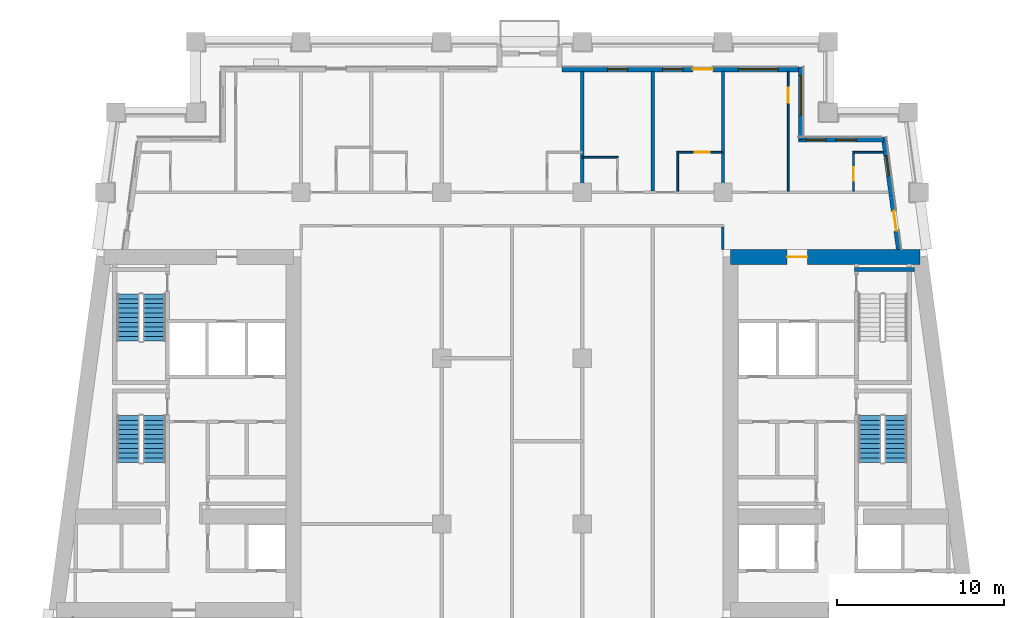
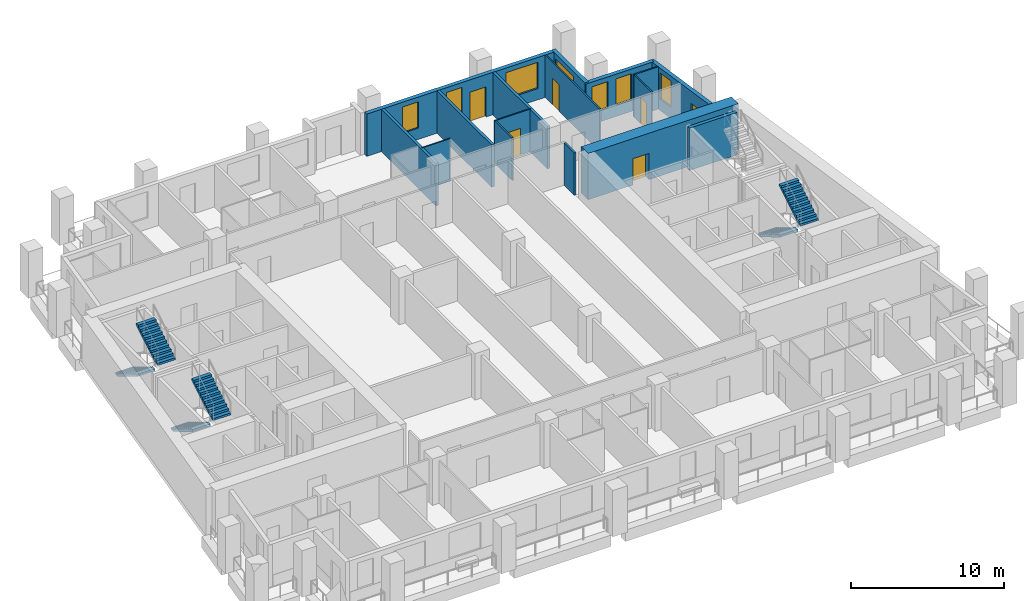
# One storey, part 7 of 13: 16 walls, 7 windows, 6 doors, 6 stair flights, 13 openings, 3 elements without a shape of their own.
"""IFC4 building model written with IfcOpenShell, lengths in metres."""

from ifc_helpers import new_model, si_unit, direction, frame, frame_2d, origin, place, context, subcontext, project, spatial, polyline, rectangle, outline, extrude, material, layer, layer_set, type_object, element, fill, aggregate, save


model = new_model("IFC4")

# Units and contexts
model_context = context("Model", 3, precision=1e-05, world=origin(), true_north=direction((0.0, 1.0)))
body_context = subcontext(model_context, "Body", "Model", "MODEL_VIEW")
ifc_project = project(units=[si_unit("LENGTHUNIT", "METRE"), si_unit("AREAUNIT", "SQUARE_METRE"), si_unit("VOLUMEUNIT", "CUBIC_METRE"), si_unit("PLANEANGLEUNIT", "RADIAN"), si_unit("MASSUNIT", "GRAM", prefix="KILO")], contexts=[model_context])

# Site, building, storey
site_placement = place(None, origin())
site = spatial("IfcSite", under=ifc_project, at=site_placement, CompositionType="ELEMENT")
building_placement = place(site_placement, origin())
building = spatial("IfcBuilding", under=site, at=building_placement, Name="Candeia Pilgrim Tower and Theatre", CompositionType="ELEMENT")
storey_placement = place(building_placement, frame((0.0, 0.0, 158.89990234375)))
storey = spatial("IfcBuildingStorey", under=building, at=storey_placement, Name="L37", CompositionType="ELEMENT", Elevation=158.89990234375)

# Wall, opening, door
ifc_material_1 = material(Name="Concrete C60/75", Category="concrete")
ifc_layer_1 = layer(ifc_material_1, 0.89990234375)
ifc_layer_set_1 = layer_set([ifc_layer_1], Name="Core wall 900 C60/75")
wall_type_1 = type_object("IfcWallType", Name="Core wall 900 C60/75", PredefinedType="SHEAR", material=ifc_layer_set_1)
wall_1_placement = place(storey_placement, frame((126.449951171875, 131.949951171875, 0.0), z_axis=(0.0, 0.0, 1.0), x_axis=(1.0, 0.0, 0.0)))
wall_1 = element("IfcWall", 1, at=wall_1_placement, inside=storey, type_object=wall_type_1, Name="Core wall E1", PredefinedType="SHEAR", context=body_context, shape_type="SweptSolid", body=[
    extrude(rectangle(XDim=11.32568359375, YDim=0.89990234375, at=frame_2d((5.662841796875, 0.0))), origin(), (0.0, 0.0, 1.0), 3.7001953125),
])
opening_1_placement = place(wall_1_placement, frame((3.386474609375, 0.0, 0.0)))
opening_1 = element("IfcOpeningElement", 2, at=opening_1_placement, cuts=wall_1, Name="Opening L37-D061", PredefinedType="OPENING", context=body_context, shape_type="SweptSolid", body=[
    extrude(rectangle(XDim=1.199951171875, YDim=2.10009765625, at=frame_2d((0.60009765625, 1.050048828125))), frame((0.0, 0.4599609375, 0.0), z_axis=(0.0, -1.0, 0.0), x_axis=(1.0, 0.0, 0.0)), (0.0, 0.0, 1.0), 0.919921875),
])
ifc_material_2 = material(Name="Steel fire door set", Category="steel")
door_type_1 = type_object("IfcDoorType", Name="D-1200-FD60", OperationType="NOTDEFINED", PredefinedType="DOOR", material=ifc_material_2)
door_1_placement = place(opening_1_placement, origin())
door_1 = element("IfcDoor", 3, at=door_1_placement, inside=storey, type_object=door_type_1, Name="Door L37-D061", OperationType="SINGLE_SWING_RIGHT", OverallHeight=2.10009765625, OverallWidth=1.199951171875, PredefinedType="DOOR", context=body_context, shape_type="SweptSolid", body=[
    extrude(rectangle(XDim=1.199951171875, YDim=2.10009765625, at=frame_2d((0.60009765625, 1.050048828125))), frame((0.0, 0.02490234375, 0.0), z_axis=(0.0, -1.0, 0.0), x_axis=(1.0, 0.0, 0.0)), (0.0, 0.0, 1.0), 0.050048828125),
])
fill(opening_1, door_1)

# Wall, openings, door, window
ifc_material_3 = material(Name="Ceramic block masonry", Category="masonry")
ifc_layer_2 = layer(ifc_material_3, 0.300048828125)
ifc_layer_set_2 = layer_set([ifc_layer_2], Name="EW1 glazing-line wall 300")
wall_type_2 = type_object("IfcWallType", Name="EW1 glazing-line wall 300", PredefinedType="SOLIDWALL", material=ifc_layer_set_2)
wall_2_placement = place(storey_placement, frame((136.50439453125, 132.39990234375, 0.0), z_axis=(0.0, 0.0, 1.0), x_axis=(-0.133399697462, 0.99106231929, 0.0)))
wall_2 = element("IfcWall", 4, at=wall_2_placement, inside=storey, type_object=wall_type_2, Name="External wall L37-3.1", PredefinedType="SOLIDWALL", context=body_context, shape_type="SweptSolid", body=[
    extrude(rectangle(XDim=6.740478515625, YDim=0.300048828125, at=frame_2d((3.3701171875, 0.0))), origin(), (0.0, 0.0, 1.0), 3.380126953125),
])
opening_2_placement = place(wall_2_placement, frame((1.115234375, 0.0, 0.0)))
opening_2 = element("IfcOpeningElement", 5, at=opening_2_placement, cuts=wall_2, Name="Opening L37-ED357", PredefinedType="OPENING", context=body_context, shape_type="SweptSolid", body=[
    extrude(rectangle(XDim=1.199951171875, YDim=2.39990234375, at=frame_2d((0.60009765625, 1.199951171875))), frame((0.0, 0.16015625, 0.0), z_axis=(0.0, -1.0, 0.0), x_axis=(1.0, 0.0, 0.0)), (0.0, 0.0, 1.0), 0.320068359375),
])
opening_3_placement = place(wall_2_placement, frame((4.435546875, 0.0, 0.89990234375)))
opening_3 = element("IfcOpeningElement", 6, at=opening_3_placement, cuts=wall_2, Name="Opening W-B", PredefinedType="OPENING", context=body_context, shape_type="SweptSolid", body=[
    extrude(rectangle(XDim=1.199951171875, YDim=2.10009765625, at=frame_2d((0.60009765625, 1.050048828125))), frame((0.0, 0.16015625, 0.0), z_axis=(0.0, -1.0, 0.0), x_axis=(1.0, 0.0, 0.0)), (0.0, 0.0, 1.0), 0.320068359375),
])
ifc_material_4 = material(Name="Aluminium framed glazed door", Category="aluminium")
door_type_2 = type_object("IfcDoorType", Name="Loggia door 1200x2400", OperationType="DOUBLE_DOOR_SINGLE_SWING", PredefinedType="DOOR", material=ifc_material_4)
door_2_placement = place(opening_2_placement, origin())
door_2 = element("IfcDoor", 7, at=door_2_placement, inside=storey, type_object=door_type_2, Name="Loggia door L37-ED357", OperationType="DOUBLE_DOOR_SINGLE_SWING", OverallHeight=2.39990234375, OverallWidth=1.199951171875, PredefinedType="DOOR", context=body_context, shape_type="SweptSolid", body=[
    extrude(rectangle(XDim=1.199951171875, YDim=2.39990234375, at=frame_2d((0.60009765625, 1.199951171875))), frame((0.0, 0.02490234375, 0.0), z_axis=(0.0, -1.0, 0.0), x_axis=(1.0, 0.0, 0.0)), (0.0, 0.0, 1.0), 0.050048828125),
])
fill(opening_2, door_2)
ifc_material_5 = material(Name="Aluminium framed double glazing", Category="aluminium")
window_type_1 = type_object("IfcWindowType", Name="W-B window 1200x2100", PartitioningType="SINGLE_PANEL", PredefinedType="WINDOW", material=ifc_material_5)
window_1_placement = place(opening_3_placement, origin())
window_1 = element("IfcWindow", 8, at=window_1_placement, inside=storey, type_object=window_type_1, Name="Window W-B L37", OverallHeight=2.10009765625, OverallWidth=1.199951171875, PartitioningType="SINGLE_PANEL", PredefinedType="WINDOW", context=body_context, shape_type="SweptSolid", body=[
    extrude(rectangle(XDim=1.199951171875, YDim=2.10009765625, at=frame_2d((0.60009765625, 1.050048828125))), frame((0.0, 0.030029296875, 0.0), z_axis=(0.0, -1.0, 0.0), x_axis=(1.0, 0.0, 0.0)), (0.0, 0.0, 1.0), 0.06005859375),
])
fill(opening_3, window_1)

# Wall, openings, windows
wall_3_placement = place(storey_placement, frame((135.62255859375, 138.949951171875, 0.0), z_axis=(0.0, 0.0, 1.0), x_axis=(-1.0, 0.0, 0.0)))
wall_3 = element("IfcWall", 9, at=wall_3_placement, inside=storey, type_object=wall_type_2, Name="External wall L37-4.0", PredefinedType="SOLIDWALL", context=body_context, shape_type="SweptSolid", body=[
    extrude(rectangle(XDim=5.12255859375, YDim=0.300048828125, at=frame_2d((2.561279296875, 0.0))), origin(), (0.0, 0.0, 1.0), 3.380126953125),
])
opening_4_placement = place(wall_3_placement, frame((1.672607421875, 0.0, 0.89990234375)))
opening_4 = element("IfcOpeningElement", 10, at=opening_4_placement, cuts=wall_3, Name="Opening W-B", PredefinedType="OPENING", context=body_context, shape_type="SweptSolid", body=[
    extrude(rectangle(XDim=1.199951171875, YDim=2.10009765625, at=frame_2d((0.60009765625, 1.050048828125))), frame((0.0, 0.16015625, 0.0), z_axis=(0.0, -1.0, 0.0), x_axis=(1.0, 0.0, 0.0)), (0.0, 0.0, 1.0), 0.320068359375),
])
opening_5_placement = place(wall_3_placement, frame((3.47265625, 0.0, 0.89990234375)))
opening_5 = element("IfcOpeningElement", 11, at=opening_5_placement, cuts=wall_3, Name="Opening W-B", PredefinedType="OPENING", context=body_context, shape_type="SweptSolid", body=[
    extrude(rectangle(XDim=1.199951171875, YDim=2.10009765625, at=frame_2d((0.60009765625, 1.050048828125))), frame((0.0, 0.16015625, 0.0), z_axis=(0.0, -1.0, 0.0), x_axis=(1.0, 0.0, 0.0)), (0.0, 0.0, 1.0), 0.320068359375),
])
window_2_placement = place(opening_4_placement, origin())
window_2 = element("IfcWindow", 12, at=window_2_placement, inside=storey, type_object=window_type_1, Name="Window W-B L37", OverallHeight=2.10009765625, OverallWidth=1.199951171875, PartitioningType="SINGLE_PANEL", PredefinedType="WINDOW", context=body_context, shape_type="SweptSolid", body=[
    extrude(rectangle(XDim=1.199951171875, YDim=2.10009765625, at=frame_2d((0.60009765625, 1.050048828125))), frame((0.0, 0.030029296875, 0.0), z_axis=(0.0, -1.0, 0.0), x_axis=(1.0, 0.0, 0.0)), (0.0, 0.0, 1.0), 0.06005859375),
])
fill(opening_4, window_2)
window_3_placement = place(opening_5_placement, origin())
window_3 = element("IfcWindow", 13, at=window_3_placement, inside=storey, type_object=window_type_1, Name="Window W-B L37", OverallHeight=2.10009765625, OverallWidth=1.199951171875, PartitioningType="SINGLE_PANEL", PredefinedType="WINDOW", context=body_context, shape_type="SweptSolid", body=[
    extrude(rectangle(XDim=1.199951171875, YDim=2.10009765625, at=frame_2d((0.60009765625, 1.050048828125))), frame((0.0, 0.030029296875, 0.0), z_axis=(0.0, -1.0, 0.0), x_axis=(1.0, 0.0, 0.0)), (0.0, 0.0, 1.0), 0.06005859375),
])
fill(opening_5, window_3)

# Wall, opening, window
wall_4_placement = place(storey_placement, frame((130.64990234375, 138.949951171875, 0.0), z_axis=(0.0, 0.0, 1.0), x_axis=(0.0, 1.0, 0.0)))
wall_4 = element("IfcWall", 14, at=wall_4_placement, inside=storey, type_object=wall_type_2, Name="External wall L37-5.0", PredefinedType="SOLIDWALL", context=body_context, shape_type="SweptSolid", body=[
    extrude(rectangle(XDim=4.35009765625, YDim=0.300048828125, at=frame_2d((2.175048828125, 0.0))), origin(), (0.0, 0.0, 1.0), 3.380126953125),
])
opening_6_placement = place(wall_4_placement, frame((1.449951171875, 0.0, 0.89990234375)))
opening_6 = element("IfcOpeningElement", 15, at=opening_6_placement, cuts=wall_4, Name="Opening W-A", PredefinedType="OPENING", context=body_context, shape_type="SweptSolid", body=[
    extrude(rectangle(XDim=2.39990234375, YDim=2.10009765625, at=frame_2d((1.199951171875, 1.050048828125))), frame((0.0, 0.16015625, 0.0), z_axis=(0.0, -1.0, 0.0), x_axis=(1.0, 0.0, 0.0)), (0.0, 0.0, 1.0), 0.320068359375),
])
window_type_2 = type_object("IfcWindowType", Name="W-A window 2400x2100", PartitioningType="DOUBLE_PANEL_VERTICAL", PredefinedType="WINDOW", material=ifc_material_5)
window_4_placement = place(opening_6_placement, origin())
window_4 = element("IfcWindow", 16, at=window_4_placement, inside=storey, type_object=window_type_2, Name="Window W-A L37", OverallHeight=2.10009765625, OverallWidth=2.39990234375, PartitioningType="SINGLE_PANEL", PredefinedType="WINDOW", context=body_context, shape_type="SweptSolid", body=[
    extrude(rectangle(XDim=2.39990234375, YDim=2.10009765625, at=frame_2d((1.199951171875, 1.050048828125))), frame((0.0, 0.030029296875, 0.0), z_axis=(0.0, -1.0, 0.0), x_axis=(1.0, 0.0, 0.0)), (0.0, 0.0, 1.0), 0.06005859375),
])
fill(opening_6, window_4)

# Wall, openings, door, windows
wall_5_placement = place(storey_placement, frame((130.64990234375, 143.14990234375, 0.0), z_axis=(0.0, 0.0, 1.0), x_axis=(-1.0, 0.0, 0.0)))
wall_5 = element("IfcWall", 17, at=wall_5_placement, inside=storey, type_object=wall_type_2, Name="External wall L37-6.0", PredefinedType="SOLIDWALL", context=body_context, shape_type="SweptSolid", body=[
    extrude(rectangle(XDim=14.25, YDim=0.300048828125, at=frame_2d((7.125, 0.0))), origin(), (0.0, 0.0, 1.0), 3.380126953125),
])
opening_7_placement = place(wall_5_placement, frame((1.35009765625, 0.0, 0.89990234375)))
opening_7 = element("IfcOpeningElement", 18, at=opening_7_placement, cuts=wall_5, Name="Opening W-A", PredefinedType="OPENING", context=body_context, shape_type="SweptSolid", body=[
    extrude(rectangle(XDim=2.39990234375, YDim=2.10009765625, at=frame_2d((1.199951171875, 1.050048828125))), frame((0.0, 0.16015625, 0.0), z_axis=(0.0, -1.0, 0.0), x_axis=(1.0, 0.0, 0.0)), (0.0, 0.0, 1.0), 0.320068359375),
])
opening_8_placement = place(wall_5_placement, frame((5.25, 0.0, 0.0)))
opening_8 = element("IfcOpeningElement", 19, at=opening_8_placement, cuts=wall_5, Name="Opening L37-ED358", PredefinedType="OPENING", context=body_context, shape_type="SweptSolid", body=[
    extrude(rectangle(XDim=1.199951171875, YDim=2.39990234375, at=frame_2d((0.60009765625, 1.199951171875))), frame((0.0, 0.16015625, 0.0), z_axis=(0.0, -1.0, 0.0), x_axis=(1.0, 0.0, 0.0)), (0.0, 0.0, 1.0), 0.320068359375),
])
opening_9_placement = place(wall_5_placement, frame((7.050048828125, 0.0, 0.89990234375)))
opening_9 = element("IfcOpeningElement", 20, at=opening_9_placement, cuts=wall_5, Name="Opening W-B", PredefinedType="OPENING", context=body_context, shape_type="SweptSolid", body=[
    extrude(rectangle(XDim=1.199951171875, YDim=2.10009765625, at=frame_2d((0.60009765625, 1.050048828125))), frame((0.0, 0.16015625, 0.0), z_axis=(0.0, -1.0, 0.0), x_axis=(1.0, 0.0, 0.0)), (0.0, 0.0, 1.0), 0.320068359375),
])
opening_10_placement = place(wall_5_placement, frame((10.35009765625, 0.0, 0.89990234375)))
opening_10 = element("IfcOpeningElement", 21, at=opening_10_placement, cuts=wall_5, Name="Opening W-B", PredefinedType="OPENING", context=body_context, shape_type="SweptSolid", body=[
    extrude(rectangle(XDim=1.199951171875, YDim=2.10009765625, at=frame_2d((0.60009765625, 1.050048828125))), frame((0.0, 0.16015625, 0.0), z_axis=(0.0, -1.0, 0.0), x_axis=(1.0, 0.0, 0.0)), (0.0, 0.0, 1.0), 0.320068359375),
])
door_3_placement = place(opening_8_placement, origin())
door_3 = element("IfcDoor", 22, at=door_3_placement, inside=storey, type_object=door_type_2, Name="Loggia door L37-ED358", OperationType="DOUBLE_DOOR_SINGLE_SWING", OverallHeight=2.39990234375, OverallWidth=1.199951171875, PredefinedType="DOOR", context=body_context, shape_type="SweptSolid", body=[
    extrude(rectangle(XDim=1.199951171875, YDim=2.39990234375, at=frame_2d((0.60009765625, 1.199951171875))), frame((0.0, 0.02490234375, 0.0), z_axis=(0.0, -1.0, 0.0), x_axis=(1.0, 0.0, 0.0)), (0.0, 0.0, 1.0), 0.050048828125),
])
fill(opening_8, door_3)
window_5_placement = place(opening_7_placement, origin())
window_5 = element("IfcWindow", 23, at=window_5_placement, inside=storey, type_object=window_type_2, Name="Window W-A L37", OverallHeight=2.10009765625, OverallWidth=2.39990234375, PartitioningType="SINGLE_PANEL", PredefinedType="WINDOW", context=body_context, shape_type="SweptSolid", body=[
    extrude(rectangle(XDim=2.39990234375, YDim=2.10009765625, at=frame_2d((1.199951171875, 1.050048828125))), frame((0.0, 0.030029296875, 0.0), z_axis=(0.0, -1.0, 0.0), x_axis=(1.0, 0.0, 0.0)), (0.0, 0.0, 1.0), 0.06005859375),
])
fill(opening_7, window_5)
window_6_placement = place(opening_9_placement, origin())
window_6 = element("IfcWindow", 24, at=window_6_placement, inside=storey, type_object=window_type_1, Name="Window W-B L37", OverallHeight=2.10009765625, OverallWidth=1.199951171875, PartitioningType="SINGLE_PANEL", PredefinedType="WINDOW", context=body_context, shape_type="SweptSolid", body=[
    extrude(rectangle(XDim=1.199951171875, YDim=2.10009765625, at=frame_2d((0.60009765625, 1.050048828125))), frame((0.0, 0.030029296875, 0.0), z_axis=(0.0, -1.0, 0.0), x_axis=(1.0, 0.0, 0.0)), (0.0, 0.0, 1.0), 0.06005859375),
])
fill(opening_9, window_6)
window_7_placement = place(opening_10_placement, origin())
window_7 = element("IfcWindow", 25, at=window_7_placement, inside=storey, type_object=window_type_1, Name="Window W-B L37", OverallHeight=2.10009765625, OverallWidth=1.199951171875, PartitioningType="SINGLE_PANEL", PredefinedType="WINDOW", context=body_context, shape_type="SweptSolid", body=[
    extrude(rectangle(XDim=1.199951171875, YDim=2.10009765625, at=frame_2d((0.60009765625, 1.050048828125))), frame((0.0, 0.030029296875, 0.0), z_axis=(0.0, -1.0, 0.0), x_axis=(1.0, 0.0, 0.0)), (0.0, 0.0, 1.0), 0.06005859375),
])
fill(opening_10, window_7)

# Wall
ifc_material_6 = material(Name="Gypsum board partition on steel studs", Category="steel")
ifc_layer_3 = layer(ifc_material_6, 0.10009765625)
ifc_layer_set_3 = layer_set([ifc_layer_3], Name="PW-100 room partition")
wall_type_3 = type_object("IfcWallType", Name="PW-100 room partition", PredefinedType="PARTITIONING", material=ifc_layer_set_3)
wall_6_placement = place(storey_placement, frame((117.60009765625, 137.89990234375, 0.0), z_axis=(0.0, 0.0, 1.0), x_axis=(1.0, 0.0, 0.0)))
element("IfcWall", 26, at=wall_6_placement, inside=storey, type_object=wall_type_3, Name="Room partition L37-042", PredefinedType="PARTITIONING", context=body_context, shape_type="SweptSolid", body=[
    extrude(rectangle(XDim=2.14990234375, YDim=0.10009765625, at=frame_2d((1.074951171875, 0.0))), origin(), (0.0, 0.0, 1.0), 3.380126953125),
])

# Wall, opening, door
wall_7_placement = place(storey_placement, frame((123.25, 138.199951171875, 0.0), z_axis=(0.0, 0.0, 1.0), x_axis=(1.0, 0.0, 0.0)))
wall_7 = element("IfcWall", 27, at=wall_7_placement, inside=storey, type_object=wall_type_3, Name="Room partition L37-046", PredefinedType="PARTITIONING", context=body_context, shape_type="SweptSolid", body=[
    extrude(rectangle(XDim=2.75, YDim=0.10009765625, at=frame_2d((1.375, 0.0))), origin(), (0.0, 0.0, 1.0), 3.380126953125),
])
opening_11_placement = place(wall_7_placement, frame((1.06005859375, 0.0, 0.0)))
opening_11 = element("IfcOpeningElement", 28, at=opening_11_placement, cuts=wall_7, Name="Opening L37-D046", PredefinedType="OPENING", context=body_context, shape_type="SweptSolid", body=[
    extrude(rectangle(XDim=0.89990234375, YDim=2.10009765625, at=frame_2d((0.449951171875, 1.050048828125))), frame((0.0, 0.06005859375, 0.0), z_axis=(0.0, -1.0, 0.0), x_axis=(1.0, 0.0, 0.0)), (0.0, 0.0, 1.0), 0.1201171875),
])
ifc_material_7 = material(Name="Timber door leaf", Category="wood")
door_type_3 = type_object("IfcDoorType", Name="D-900", OperationType="NOTDEFINED", PredefinedType="DOOR", material=ifc_material_7)
door_4_placement = place(opening_11_placement, origin())
door_4 = element("IfcDoor", 29, at=door_4_placement, inside=storey, type_object=door_type_3, Name="Door L37-D046", OperationType="SINGLE_SWING_LEFT", OverallHeight=2.10009765625, OverallWidth=0.89990234375, PredefinedType="DOOR", context=body_context, shape_type="SweptSolid", body=[
    extrude(rectangle(XDim=0.89990234375, YDim=2.10009765625, at=frame_2d((0.449951171875, 1.050048828125))), frame((0.0, 0.02490234375, 0.0), z_axis=(0.0, -1.0, 0.0), x_axis=(1.0, 0.0, 0.0)), (0.0, 0.0, 1.0), 0.050048828125),
])
fill(opening_11, door_4)

# Walls
wall_8_placement = place(storey_placement, frame((133.75, 138.199951171875, 0.0), z_axis=(0.0, 0.0, 1.0), x_axis=(1.0, 0.0, 0.0)))
element("IfcWall", 30, at=wall_8_placement, inside=storey, type_object=wall_type_3, Name="Room partition L37-047", PredefinedType="PARTITIONING", context=body_context, shape_type="SweptSolid", body=[
    extrude(rectangle(XDim=1.832275390625, YDim=0.10009765625, at=frame_2d((0.916015625, 0.0))), origin(), (0.0, 0.0, 1.0), 3.380126953125),
])
wall_9_placement = place(storey_placement, frame((123.300048828125, 135.875, 0.0), z_axis=(0.0, 0.0, 1.0), x_axis=(0.0, 1.0, 0.0)))
element("IfcWall", 31, at=wall_9_placement, inside=storey, type_object=wall_type_3, Name="Room partition L37-093", PredefinedType="PARTITIONING", context=body_context, shape_type="SweptSolid", body=[
    extrude(rectangle(XDim=2.27490234375, YDim=0.10009765625, at=frame_2d((1.137451171875, 0.0))), origin(), (0.0, 0.0, 1.0), 3.380126953125),
])

# Wall, opening, door
wall_10_placement = place(storey_placement, frame((129.89990234375, 135.875, 0.0), z_axis=(0.0, 0.0, 1.0), x_axis=(0.0, 1.0, 0.0)))
wall_10 = element("IfcWall", 32, at=wall_10_placement, inside=storey, type_object=wall_type_3, Name="Room partition L37-102", PredefinedType="PARTITIONING", context=body_context, shape_type="SweptSolid", body=[
    extrude(rectangle(XDim=7.135009765625, YDim=0.10009765625, at=frame_2d((3.5673828125, 0.0))), origin(), (0.0, 0.0, 1.0), 3.380126953125),
])
opening_12_placement = place(wall_10_placement, frame((5.2900390625, 0.0, 0.0)))
opening_12 = element("IfcOpeningElement", 33, at=opening_12_placement, cuts=wall_10, Name="Opening L37-D048", PredefinedType="OPENING", context=body_context, shape_type="SweptSolid", body=[
    extrude(rectangle(XDim=0.89990234375, YDim=2.10009765625, at=frame_2d((0.449951171875, 1.050048828125))), frame((0.0, 0.06005859375, 0.0), z_axis=(0.0, -1.0, 0.0), x_axis=(1.0, 0.0, 0.0)), (0.0, 0.0, 1.0), 0.1201171875),
])
door_5_placement = place(opening_12_placement, origin())
door_5 = element("IfcDoor", 34, at=door_5_placement, inside=storey, type_object=door_type_3, Name="Door L37-D048", OperationType="SINGLE_SWING_LEFT", OverallHeight=2.10009765625, OverallWidth=0.89990234375, PredefinedType="DOOR", context=body_context, shape_type="SweptSolid", body=[
    extrude(rectangle(XDim=0.89990234375, YDim=2.10009765625, at=frame_2d((0.449951171875, 1.050048828125))), frame((0.0, 0.02490234375, 0.0), z_axis=(0.0, -1.0, 0.0), x_axis=(1.0, 0.0, 0.0)), (0.0, 0.0, 1.0), 0.050048828125),
])
fill(opening_12, door_5)

wall_11_placement = place(storey_placement, frame((133.800048828125, 135.875, 0.0), z_axis=(0.0, 0.0, 1.0), x_axis=(0.0, 1.0, 0.0)))
wall_11 = element("IfcWall", 35, at=wall_11_placement, inside=storey, type_object=wall_type_3, Name="Room partition L37-109", PredefinedType="PARTITIONING", context=body_context, shape_type="SweptSolid", body=[
    extrude(rectangle(XDim=2.27490234375, YDim=0.10009765625, at=frame_2d((1.137451171875, 0.0))), origin(), (0.0, 0.0, 1.0), 3.380126953125),
])
opening_13_placement = place(wall_11_placement, frame((0.635009765625, 0.0, 0.0)))
opening_13 = element("IfcOpeningElement", 36, at=opening_13_placement, cuts=wall_11, Name="Opening L37-D049", PredefinedType="OPENING", context=body_context, shape_type="SweptSolid", body=[
    extrude(rectangle(XDim=0.800048828125, YDim=2.10009765625, at=frame_2d((0.39990234375, 1.050048828125))), frame((0.0, 0.06005859375, 0.0), z_axis=(0.0, -1.0, 0.0), x_axis=(1.0, 0.0, 0.0)), (0.0, 0.0, 1.0), 0.1201171875),
])
door_type_4 = type_object("IfcDoorType", Name="D-800", OperationType="NOTDEFINED", PredefinedType="DOOR", material=ifc_material_7)
door_6_placement = place(opening_13_placement, origin())
door_6 = element("IfcDoor", 37, at=door_6_placement, inside=storey, type_object=door_type_4, Name="Door L37-D049", OperationType="SINGLE_SWING_RIGHT", OverallHeight=2.10009765625, OverallWidth=0.800048828125, PredefinedType="DOOR", context=body_context, shape_type="SweptSolid", body=[
    extrude(rectangle(XDim=0.800048828125, YDim=2.10009765625, at=frame_2d((0.39990234375, 1.050048828125))), frame((0.0, 0.02490234375, 0.0), z_axis=(0.0, -1.0, 0.0), x_axis=(1.0, 0.0, 0.0)), (0.0, 0.0, 1.0), 0.050048828125),
])
fill(opening_13, door_6)

# Walls
ifc_layer_4 = layer(ifc_material_6, 0.14990234375)
ifc_layer_set_4 = layer_set([ifc_layer_4], Name="PW-150 unit wall")
wall_type_4 = type_object("IfcWallType", Name="PW-150 unit wall", PredefinedType="PARTITIONING", material=ifc_layer_set_4)
wall_12_placement = place(storey_placement, frame((126.0, 132.39990234375, 0.0), z_axis=(0.0, 0.0, 1.0), x_axis=(0.0, 1.0, 0.0)))
element("IfcWall", 38, at=wall_12_placement, inside=storey, type_object=wall_type_4, Name="Unit wall L37-097", PredefinedType="PARTITIONING", context=body_context, shape_type="SweptSolid", body=[
    extrude(rectangle(XDim=1.3251953125, YDim=0.14990234375, at=frame_2d((0.66259765625, 0.0))), origin(), (0.0, 0.0, 1.0), 3.380126953125),
])
ifc_layer_5 = layer(ifc_material_6, 0.199951171875)
ifc_layer_set_5 = layer_set([ifc_layer_5], Name="PW-200 party wall")
wall_type_5 = type_object("IfcWallType", Name="PW-200 party wall", PredefinedType="PARTITIONING", material=ifc_layer_set_5)
for number, where, z_axis, x_axis, name in (
    (39, (117.60009765625, 135.875, 0.0), (0.0, 0.0, 1.0), (0.0, 1.0, 0.0), "Party wall L37-089"),
    (40, (121.800048828125, 135.875, 0.0), (0.0, 0.0, 1.0), (0.0, 1.0, 0.0), "Party wall L37-092"),
    (41, (126.0, 135.875, 0.0), (0.0, 0.0, 1.0), (0.0, 1.0, 0.0), "Party wall L37-095"),
):
    element("IfcWall", number, at=place(storey_placement, frame(where, z_axis=z_axis, x_axis=x_axis)), inside=storey, type_object=wall_type_5, Name=name, PredefinedType="PARTITIONING", context=body_context, shape_type="SweptSolid", body=[
        extrude(rectangle(XDim=7.135009765625, YDim=0.199951171875, at=frame_2d((3.5673828125, 0.0))), origin(), (0.0, 0.0, 1.0), 3.380126953125),
    ])
ifc_material_8 = material(Name="Concrete C40/50", Category="concrete")
ifc_layer_6 = layer(ifc_material_8, 0.25)
ifc_layer_set_6 = layer_set([ifc_layer_6], Name="SW-250 stair wall")
wall_type_6 = type_object("IfcWallType", Name="SW-250 stair wall", PredefinedType="PARTITIONING", material=ifc_layer_set_6)
wall_13_placement = place(storey_placement, frame((133.847900390625, 131.199951171875, 0.0), z_axis=(0.0, 0.0, 1.0), x_axis=(1.0, 0.0, 0.0)))
element("IfcWall", 42, at=wall_13_placement, inside=storey, type_object=wall_type_6, Name="Stair wall L37-039", PredefinedType="PARTITIONING", context=body_context, shape_type="SweptSolid", body=[
    extrude(rectangle(XDim=3.604736328125, YDim=0.25, at=frame_2d((1.80224609375, 0.0))), origin(), (0.0, 0.0, 1.0), 3.380126953125),
])

# Stair, stair flights
stair_type = type_object("IfcStairType", Name="ST-TWR dog-leg escape stair", PredefinedType="HALF_TURN_STAIR", material=ifc_material_8)
stair_1_placement = place(storey_placement, origin())
stair_1 = element("IfcStair", 43, at=stair_1_placement, inside=storey, type_object=stair_type, Name="L37 Escape stair ST1", PredefinedType="HALF_TURN_STAIR")
stair_flight_type = type_object("IfcStairFlightType", Name="SFL-RC stair flight", PredefinedType="STRAIGHT", material=ifc_material_8)
stair_flight_1_placement = place(storey_placement, frame((90.47705078125, 122.47509765625, 0.0), z_axis=(0.0, 0.0, 1.0), x_axis=(0.0, -1.0, 0.0)))
stair_flight_1 = element("IfcStairFlight", 44, at=stair_flight_1_placement, type_object=stair_flight_type, Name="ST1 flight 1", NumberOfRisers=11, NumberOfTreads=10, PredefinedType="STRAIGHT", RiserHeight=0.168181818, TreadLength=0.28, context=body_context, shape_type="SweptSolid", body=[
    extrude(outline(polyline([(0.0, 0.0), (0.0, 0.168212890625), (0.280029296875, 0.168212890625), (0.280029296875, 0.33642578125), (0.56005859375, 0.33642578125), (0.56005859375, 0.504638671875), (0.840087890625, 0.504638671875), (0.840087890625, 0.672607421875), (1.1201171875, 0.672607421875), (1.1201171875, 0.8408203125), (1.39990234375, 0.8408203125), (1.39990234375, 1.009033203125), (1.679931640625, 1.009033203125), (1.679931640625, 1.17724609375), (1.9599609375, 1.17724609375), (1.9599609375, 1.345458984375), (2.239990234375, 1.345458984375), (2.239990234375, 1.513671875), (2.52001953125, 1.513671875), (2.52001953125, 1.681884765625), (2.800048828125, 1.681884765625), (2.800048828125, 1.85009765625), (2.800048828125, 1.5068359375), (0.291015625, 0.0), (0.0, 0.0)])), frame((0.0, 0.675048828125, 0.0), z_axis=(0.0, -1.0, 0.0), x_axis=(1.0, 0.0, 0.0)), (0.0, 0.0, 1.0), 1.35009765625),
])
stair_flight_2_placement = place(storey_placement, frame((92.027099609375, 119.675048828125, 1.85009765625), z_axis=(0.0, 0.0, 1.0), x_axis=(0.0, 1.0, 0.0)))
stair_flight_2 = element("IfcStairFlight", 45, at=stair_flight_2_placement, type_object=stair_flight_type, Name="ST1 flight 2", NumberOfRisers=11, NumberOfTreads=10, PredefinedType="STRAIGHT", RiserHeight=0.168181818, TreadLength=0.28, context=body_context, shape_type="SweptSolid", body=[
    extrude(outline(polyline([(0.0, 0.0), (0.0, 0.168212890625), (0.280029296875, 0.168212890625), (0.280029296875, 0.33642578125), (0.56005859375, 0.33642578125), (0.56005859375, 0.504638671875), (0.840087890625, 0.504638671875), (0.840087890625, 0.672607421875), (1.1201171875, 0.672607421875), (1.1201171875, 0.8408203125), (1.39990234375, 0.8408203125), (1.39990234375, 1.009033203125), (1.679931640625, 1.009033203125), (1.679931640625, 1.17724609375), (1.9599609375, 1.17724609375), (1.9599609375, 1.345458984375), (2.239990234375, 1.345458984375), (2.239990234375, 1.513671875), (2.52001953125, 1.513671875), (2.52001953125, 1.681884765625), (2.800048828125, 1.681884765625), (2.800048828125, 1.85009765625), (2.800048828125, 1.5068359375), (0.291015625, 0.0), (0.0, 0.0)])), frame((0.0, 0.675048828125, 0.0), z_axis=(0.0, -1.0, 0.0), x_axis=(1.0, 0.0, 0.0)), (0.0, 0.0, 1.0), 1.35009765625),
])
aggregate(stair_1, [stair_flight_1, stair_flight_2])

stair_2_placement = place(storey_placement, origin())
stair_2 = element("IfcStair", 46, at=stair_2_placement, inside=storey, type_object=stair_type, Name="L37 Escape stair ST2", PredefinedType="HALF_TURN_STAIR")
stair_flight_3_placement = place(storey_placement, frame((90.47705078125, 129.72509765625, 0.0), z_axis=(0.0, 0.0, 1.0), x_axis=(0.0, -1.0, 0.0)))
stair_flight_3 = element("IfcStairFlight", 47, at=stair_flight_3_placement, type_object=stair_flight_type, Name="ST2 flight 1", NumberOfRisers=11, NumberOfTreads=10, PredefinedType="STRAIGHT", RiserHeight=0.168181818, TreadLength=0.28, context=body_context, shape_type="SweptSolid", body=[
    extrude(outline(polyline([(0.0, 0.0), (0.0, 0.168212890625), (0.280029296875, 0.168212890625), (0.280029296875, 0.33642578125), (0.56005859375, 0.33642578125), (0.56005859375, 0.504638671875), (0.840087890625, 0.504638671875), (0.840087890625, 0.672607421875), (1.1201171875, 0.672607421875), (1.1201171875, 0.8408203125), (1.39990234375, 0.8408203125), (1.39990234375, 1.009033203125), (1.679931640625, 1.009033203125), (1.679931640625, 1.17724609375), (1.9599609375, 1.17724609375), (1.9599609375, 1.345458984375), (2.239990234375, 1.345458984375), (2.239990234375, 1.513671875), (2.52001953125, 1.513671875), (2.52001953125, 1.681884765625), (2.800048828125, 1.681884765625), (2.800048828125, 1.85009765625), (2.800048828125, 1.5068359375), (0.291015625, 0.0), (0.0, 0.0)])), frame((0.0, 0.675048828125, 0.0), z_axis=(0.0, -1.0, 0.0), x_axis=(1.0, 0.0, 0.0)), (0.0, 0.0, 1.0), 1.35009765625),
])
stair_flight_4_placement = place(storey_placement, frame((92.027099609375, 126.925048828125, 1.85009765625), z_axis=(0.0, 0.0, 1.0), x_axis=(0.0, 1.0, 0.0)))
stair_flight_4 = element("IfcStairFlight", 48, at=stair_flight_4_placement, type_object=stair_flight_type, Name="ST2 flight 2", NumberOfRisers=11, NumberOfTreads=10, PredefinedType="STRAIGHT", RiserHeight=0.168181818, TreadLength=0.28, context=body_context, shape_type="SweptSolid", body=[
    extrude(outline(polyline([(0.0, 0.0), (0.0, 0.168212890625), (0.280029296875, 0.168212890625), (0.280029296875, 0.33642578125), (0.56005859375, 0.33642578125), (0.56005859375, 0.504638671875), (0.840087890625, 0.504638671875), (0.840087890625, 0.672607421875), (1.1201171875, 0.672607421875), (1.1201171875, 0.8408203125), (1.39990234375, 0.8408203125), (1.39990234375, 1.009033203125), (1.679931640625, 1.009033203125), (1.679931640625, 1.17724609375), (1.9599609375, 1.17724609375), (1.9599609375, 1.345458984375), (2.239990234375, 1.345458984375), (2.239990234375, 1.513671875), (2.52001953125, 1.513671875), (2.52001953125, 1.681884765625), (2.800048828125, 1.681884765625), (2.800048828125, 1.85009765625), (2.800048828125, 1.5068359375), (0.291015625, 0.0), (0.0, 0.0)])), frame((0.0, 0.675048828125, 0.0), z_axis=(0.0, -1.0, 0.0), x_axis=(1.0, 0.0, 0.0)), (0.0, 0.0, 1.0), 1.35009765625),
])
aggregate(stair_2, [stair_flight_3, stair_flight_4])

stair_3_placement = place(storey_placement, origin())
stair_3 = element("IfcStair", 49, at=stair_3_placement, inside=storey, type_object=stair_type, Name="L37 Escape stair ST3", PredefinedType="HALF_TURN_STAIR")
stair_flight_5_placement = place(storey_placement, frame((134.77294921875, 122.47509765625, 0.0), z_axis=(0.0, 0.0, 1.0), x_axis=(0.0, -1.0, 0.0)))
stair_flight_5 = element("IfcStairFlight", 50, at=stair_flight_5_placement, type_object=stair_flight_type, Name="ST3 flight 1", NumberOfRisers=11, NumberOfTreads=10, PredefinedType="STRAIGHT", RiserHeight=0.168181818, TreadLength=0.28, context=body_context, shape_type="SweptSolid", body=[
    extrude(outline(polyline([(0.0, 0.0), (0.0, 0.168212890625), (0.280029296875, 0.168212890625), (0.280029296875, 0.33642578125), (0.56005859375, 0.33642578125), (0.56005859375, 0.504638671875), (0.840087890625, 0.504638671875), (0.840087890625, 0.672607421875), (1.1201171875, 0.672607421875), (1.1201171875, 0.8408203125), (1.39990234375, 0.8408203125), (1.39990234375, 1.009033203125), (1.679931640625, 1.009033203125), (1.679931640625, 1.17724609375), (1.9599609375, 1.17724609375), (1.9599609375, 1.345458984375), (2.239990234375, 1.345458984375), (2.239990234375, 1.513671875), (2.52001953125, 1.513671875), (2.52001953125, 1.681884765625), (2.800048828125, 1.681884765625), (2.800048828125, 1.85009765625), (2.800048828125, 1.5068359375), (0.291015625, 0.0), (0.0, 0.0)])), frame((0.0, 0.675048828125, 0.0), z_axis=(0.0, -1.0, 0.0), x_axis=(1.0, 0.0, 0.0)), (0.0, 0.0, 1.0), 1.35009765625),
])
stair_flight_6_placement = place(storey_placement, frame((136.322998046875, 119.675048828125, 1.85009765625), z_axis=(0.0, 0.0, 1.0), x_axis=(0.0, 1.0, 0.0)))
stair_flight_6 = element("IfcStairFlight", 51, at=stair_flight_6_placement, type_object=stair_flight_type, Name="ST3 flight 2", NumberOfRisers=11, NumberOfTreads=10, PredefinedType="STRAIGHT", RiserHeight=0.168181818, TreadLength=0.28, context=body_context, shape_type="SweptSolid", body=[
    extrude(outline(polyline([(0.0, 0.0), (0.0, 0.168212890625), (0.280029296875, 0.168212890625), (0.280029296875, 0.33642578125), (0.56005859375, 0.33642578125), (0.56005859375, 0.504638671875), (0.840087890625, 0.504638671875), (0.840087890625, 0.672607421875), (1.1201171875, 0.672607421875), (1.1201171875, 0.8408203125), (1.39990234375, 0.8408203125), (1.39990234375, 1.009033203125), (1.679931640625, 1.009033203125), (1.679931640625, 1.17724609375), (1.9599609375, 1.17724609375), (1.9599609375, 1.345458984375), (2.239990234375, 1.345458984375), (2.239990234375, 1.513671875), (2.52001953125, 1.513671875), (2.52001953125, 1.681884765625), (2.800048828125, 1.681884765625), (2.800048828125, 1.85009765625), (2.800048828125, 1.5068359375), (0.291015625, 0.0), (0.0, 0.0)])), frame((0.0, 0.675048828125, 0.0), z_axis=(0.0, -1.0, 0.0), x_axis=(1.0, 0.0, 0.0)), (0.0, 0.0, 1.0), 1.35009765625),
])
aggregate(stair_3, [stair_flight_5, stair_flight_6])

save(model, "model.ifc")
